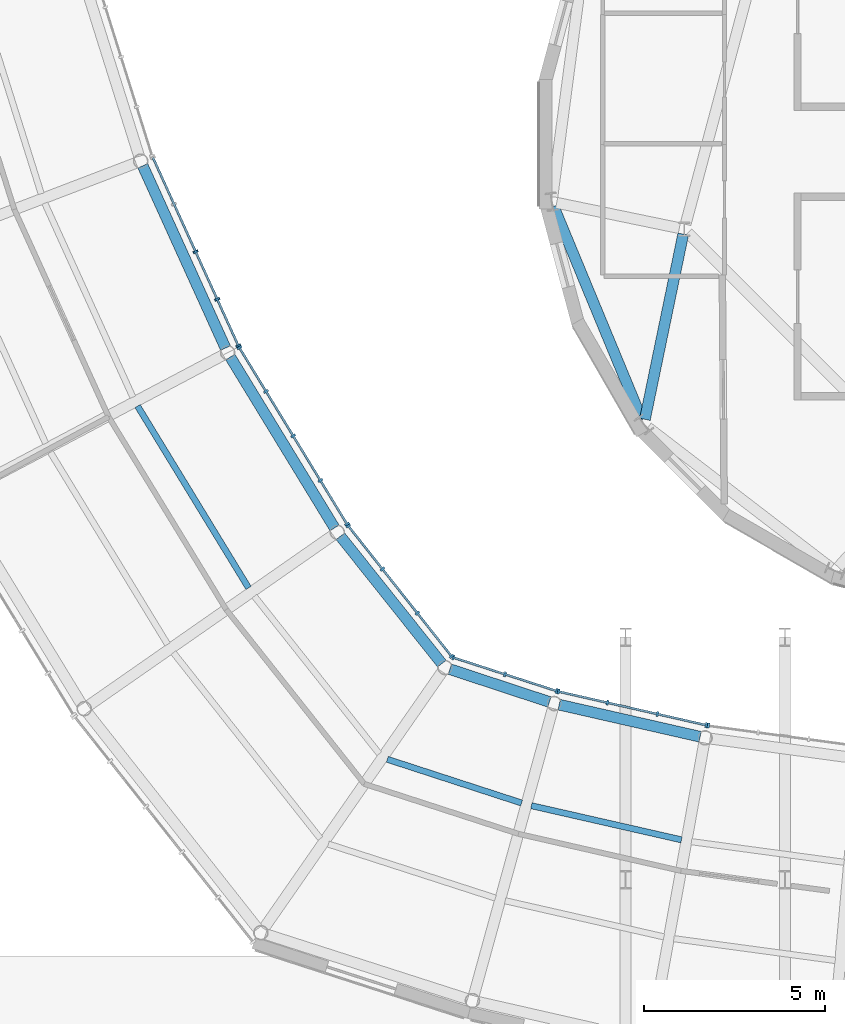
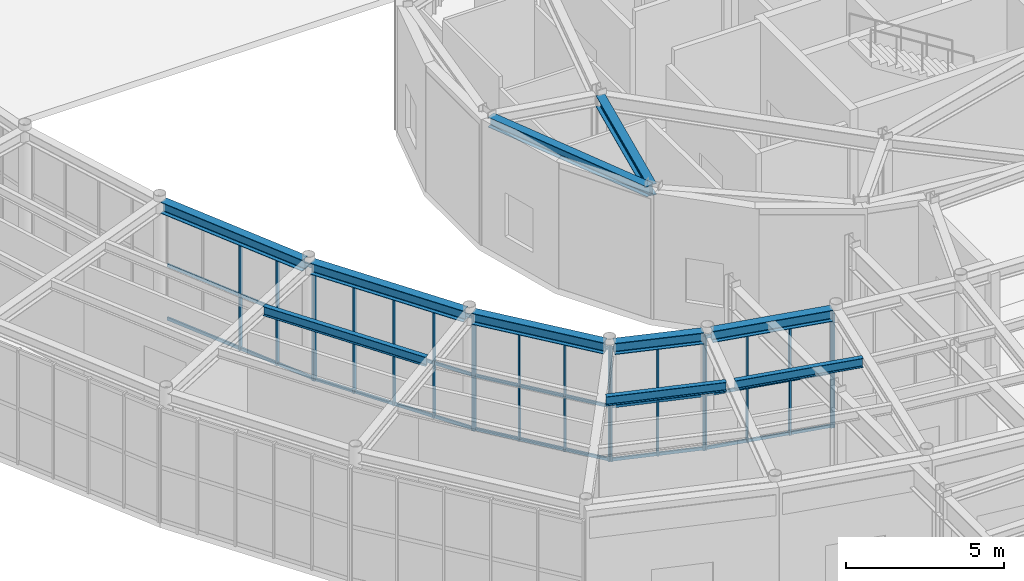
# One storey, part 20 of 97: 35 members, 10 beams, 6 elements without a shape of their own.
"""IFC4 building model written with IfcOpenShell, lengths in metres."""

from ifc_helpers import new_model, si_unit, direction, frame, origin, origin_2d, place, context, subcontext, project, spatial, rectangle, i_section, extrude, material, material_profile, profile_set, type_object, element, aggregate, save


model = new_model("IFC4")

# Units and contexts
model_context = context("Model", 3, precision=1e-05, world=origin(), true_north=direction((0.0, 1.0)))
body_context = subcontext(model_context, "Body", "Model", "MODEL_VIEW")
ifc_project = project(units=[si_unit("LENGTHUNIT", "METRE"), si_unit("AREAUNIT", "SQUARE_METRE"), si_unit("VOLUMEUNIT", "CUBIC_METRE"), si_unit("PLANEANGLEUNIT", "RADIAN"), si_unit("MASSUNIT", "GRAM", prefix="KILO")], contexts=[model_context])

# Site, building, storey
site_placement = place(None, origin())
site = spatial("IfcSite", under=ifc_project, at=site_placement, CompositionType="ELEMENT")
building_placement = place(site_placement, origin())
building = spatial("IfcBuilding", under=site, at=building_placement, Name="Varnklinge Art Gallery", CompositionType="ELEMENT")
storey_placement = place(building_placement, origin())
storey = spatial("IfcBuildingStorey", under=building, at=storey_placement, Name="L00", CompositionType="ELEMENT", Elevation=0.0)

# Beams
ifc_material_1 = material(Name="Steel S355", Category="steel")
ifc_material_profile_1 = material_profile(ifc_material_1, i_section(OverallWidth=0.300048828125, OverallDepth=0.43994140625, WebThickness=0.011474609375, FlangeThickness=0.02099609375, FilletRadius=0.027099609375, at=origin_2d()), Name="HEA 450")
ifc_profile_set_1 = profile_set([ifc_material_profile_1], Name="Steel S355")
beam_type_1 = type_object("IfcBeamType", Name="BM-08", PredefinedType="BEAM", material=ifc_profile_set_1)
beam_1_placement = place(storey_placement, frame((66.391845703125, 35.929931640625, 4.659912109375), z_axis=(-0.202556149381, -0.979270650202, 0.0), x_axis=(0.979270650202, -0.202556149381, 0.0)))
element("IfcBeam", 1, at=beam_1_placement, inside=storey, type_object=beam_type_1, Name="L00 BM-08 BM-V4D-L01-R08", PredefinedType="BEAM", context=body_context, shape_type="SweptSolid", body=[
    extrude(i_section(OverallWidth=0.300048828125, OverallDepth=0.43994140625, WebThickness=0.011474609375, FlangeThickness=0.02099609375, FilletRadius=0.027099609375, at=origin_2d()), origin(), (0.0, 0.0, 1.0), 5.223876953125),
])
ifc_material_2 = material(Name="Steel S355", Category="steel")
ifc_material_profile_2 = material_profile(ifc_material_2, i_section(OverallWidth=0.169921875, OverallDepth=0.360107421875, WebThickness=0.008056640625, FlangeThickness=0.0126953125, FilletRadius=0.01806640625, at=origin_2d()), Name="IPE 360")
ifc_profile_set_2 = profile_set([ifc_material_profile_2], Name="Steel S355")
beam_type_2 = type_object("IfcBeamType", Name="JST-06", PredefinedType="JOIST", material=ifc_profile_set_2)
beam_2_placement = place(storey_placement, frame((51.32421875, 31.180419921875, 4.699951171875), z_axis=(0.520951279717, -0.853586412826, 0.0), x_axis=(0.853586412826, 0.520951279717, 0.0)))
element("IfcBeam", 2, at=beam_2_placement, inside=storey, type_object=beam_type_2, Name="L00 JST-06 JST-V2-L01-31-2", PredefinedType="JOIST", context=body_context, shape_type="SweptSolid", body=[
    extrude(i_section(OverallWidth=0.169921875, OverallDepth=0.360107421875, WebThickness=0.008056640625, FlangeThickness=0.0126953125, FilletRadius=0.01806640625, at=origin_2d()), origin(), (0.0, 0.0, 1.0), 5.8818359375),
])
beam_3_placement = place(storey_placement, frame((58.218505859375, 21.42724609375, 4.699951171875), z_axis=(0.950949393045, -0.309346491603, 0.0), x_axis=(0.309346491603, 0.950949393045, 0.0)))
element("IfcBeam", 3, at=beam_3_placement, inside=storey, type_object=beam_type_2, Name="L00 JST-06 JST-V2-L01-33-2", PredefinedType="JOIST", context=body_context, shape_type="SweptSolid", body=[
    extrude(i_section(OverallWidth=0.169921875, OverallDepth=0.360107421875, WebThickness=0.008056640625, FlangeThickness=0.0126953125, FilletRadius=0.01806640625, at=origin_2d()), origin(), (0.0, 0.0, 1.0), 3.900390625),
])
beam_4_placement = place(storey_placement, frame((62.197265625, 20.146240234375, 4.699951171875), z_axis=(0.975058358995, -0.221948634943, 0.0), x_axis=(0.221948634943, 0.975058358995, 0.0)))
element("IfcBeam", 4, at=beam_4_placement, inside=storey, type_object=beam_type_2, Name="L00 JST-06 JST-V2-L01-34-2", PredefinedType="JOIST", context=body_context, shape_type="SweptSolid", body=[
    extrude(i_section(OverallWidth=0.169921875, OverallDepth=0.360107421875, WebThickness=0.008056640625, FlangeThickness=0.0126953125, FilletRadius=0.01806640625, at=origin_2d()), origin(), (0.0, 0.0, 1.0), 4.25244140625),
])

# Curtain wall, members
ifc_material_3 = material(Name="Anodised Aluminium", Category="aluminium")
curtain_wall_type = type_object("IfcCurtainWallType", Name="CW-R03", PredefinedType="USERDEFINED", material=ifc_material_3)
curtain_wall_1_placement = place(storey_placement, origin())
curtain_wall_1 = element("IfcCurtainWall", 5, at=curtain_wall_1_placement, inside=storey, type_object=curtain_wall_type, Name="L00 Curtain Wall CW-V2I-L00-30", ObjectType="UNITISED CURTAIN WALL", PredefinedType="USERDEFINED")
ifc_material_4 = material(Name="Anodised Aluminium", Category="aluminium")
ifc_material_profile_3 = material_profile(ifc_material_4, rectangle(XDim=0.06005859375, YDim=0.139892578125, at=origin_2d()), Name="ALU 60x140")
ifc_profile_set_3 = profile_set([ifc_material_profile_3], Name="Anodised Aluminium")
member_type_1 = type_object("IfcMemberType", Name="MUL-03", PredefinedType="MULLION", material=ifc_profile_set_3)
member_1_placement = place(storey_placement, frame((54.107421875, 32.846435546875, 0.0), z_axis=(0.0, 0.0, 1.0), x_axis=(-0.413422293217, 0.910539404678, 0.0)))
member_1 = element("IfcMember", 6, at=member_1_placement, type_object=member_type_1, Name="CW-V2I-L00-30 Mullion 1", PredefinedType="MULLION", context=body_context, shape_type="SweptSolid", body=[
    extrude(rectangle(XDim=0.06005859375, YDim=0.139892578125, at=origin_2d()), origin(), (0.0, 0.0, 1.0), 4.429931640625),
])
member_2_placement = place(storey_placement, frame((53.523681640625, 34.132080078125, 0.0), z_axis=(0.0, 0.0, 1.0), x_axis=(-0.413422293217, 0.910539404678, 0.0)))
member_2 = element("IfcMember", 7, at=member_2_placement, type_object=member_type_1, Name="CW-V2I-L00-30 Mullion 2", PredefinedType="MULLION", context=body_context, shape_type="SweptSolid", body=[
    extrude(rectangle(XDim=0.06005859375, YDim=0.139892578125, at=origin_2d()), origin(), (0.0, 0.0, 1.0), 4.429931640625),
])
member_3_placement = place(storey_placement, frame((52.927490234375, 35.44482421875, 0.0), z_axis=(0.0, 0.0, 1.0), x_axis=(-0.413422293217, 0.910539404678, 0.0)))
member_3 = element("IfcMember", 8, at=member_3_placement, type_object=member_type_1, Name="CW-V2I-L00-30 Mullion 3", PredefinedType="MULLION", context=body_context, shape_type="SweptSolid", body=[
    extrude(rectangle(XDim=0.06005859375, YDim=0.139892578125, at=origin_2d()), origin(), (0.0, 0.0, 1.0), 4.429931640625),
])

curtain_wall_2_placement = place(storey_placement, origin())
curtain_wall_2 = element("IfcCurtainWall", 9, at=curtain_wall_2_placement, inside=storey, type_object=curtain_wall_type, Name="L00 Curtain Wall CW-V2I-L00-31", ObjectType="UNITISED CURTAIN WALL", PredefinedType="USERDEFINED")
member_4_placement = place(storey_placement, frame((57.1083984375, 27.922119140625, 0.0), z_axis=(0.0, 0.0, 1.0), x_axis=(-0.520860651188, 0.85364171761, 0.0)))
member_4 = element("IfcMember", 10, at=member_4_placement, type_object=member_type_1, Name="CW-V2I-L00-31 Mullion 1", PredefinedType="MULLION", context=body_context, shape_type="SweptSolid", body=[
    extrude(rectangle(XDim=0.06005859375, YDim=0.139892578125, at=origin_2d()), origin(), (0.0, 0.0, 1.0), 4.429931640625),
])
member_5_placement = place(storey_placement, frame((56.372802734375, 29.127197265625, 0.0), z_axis=(0.0, 0.0, 1.0), x_axis=(-0.520860651188, 0.85364171761, 0.0)))
member_5 = element("IfcMember", 11, at=member_5_placement, type_object=member_type_1, Name="CW-V2I-L00-31 Mullion 2", PredefinedType="MULLION", context=body_context, shape_type="SweptSolid", body=[
    extrude(rectangle(XDim=0.06005859375, YDim=0.139892578125, at=origin_2d()), origin(), (0.0, 0.0, 1.0), 4.429931640625),
])
member_6_placement = place(storey_placement, frame((55.621826171875, 30.35791015625, 0.0), z_axis=(0.0, 0.0, 1.0), x_axis=(-0.520860651188, 0.85364171761, 0.0)))
member_6 = element("IfcMember", 12, at=member_6_placement, type_object=member_type_1, Name="CW-V2I-L00-31 Mullion 3", PredefinedType="MULLION", context=body_context, shape_type="SweptSolid", body=[
    extrude(rectangle(XDim=0.06005859375, YDim=0.139892578125, at=origin_2d()), origin(), (0.0, 0.0, 1.0), 4.429931640625),
])
member_7_placement = place(storey_placement, frame((54.870849609375, 31.58837890625, 0.0), z_axis=(0.0, 0.0, 1.0), x_axis=(-0.520860651188, 0.85364171761, 0.0)))
member_7 = element("IfcMember", 13, at=member_7_placement, type_object=member_type_1, Name="CW-V2I-L00-31 Mullion 4", PredefinedType="MULLION", context=body_context, shape_type="SweptSolid", body=[
    extrude(rectangle(XDim=0.06005859375, YDim=0.139892578125, at=origin_2d()), origin(), (0.0, 0.0, 1.0), 4.429931640625),
])
member_8_placement = place(storey_placement, frame((54.13525390625, 32.793701171875, 0.0), z_axis=(0.0, 0.0, 1.0), x_axis=(-0.520860651188, 0.85364171761, 0.0)))
member_8 = element("IfcMember", 14, at=member_8_placement, type_object=member_type_1, Name="CW-V2I-L00-31 Mullion 5", PredefinedType="MULLION", context=body_context, shape_type="SweptSolid", body=[
    extrude(rectangle(XDim=0.06005859375, YDim=0.139892578125, at=origin_2d()), origin(), (0.0, 0.0, 1.0), 4.429931640625),
])

curtain_wall_3_placement = place(storey_placement, origin())
curtain_wall_3 = element("IfcCurtainWall", 15, at=curtain_wall_3_placement, inside=storey, type_object=curtain_wall_type, Name="L00 Curtain Wall CW-V2I-L00-32", ObjectType="UNITISED CURTAIN WALL", PredefinedType="USERDEFINED")
member_9_placement = place(storey_placement, frame((59.995361328125, 24.27001953125, 0.0), z_axis=(0.0, 0.0, 1.0), x_axis=(-0.620737354217, 0.784018582101, 0.0)))
member_9 = element("IfcMember", 16, at=member_9_placement, type_object=member_type_1, Name="CW-V2I-L00-32 Mullion 1", PredefinedType="MULLION", context=body_context, shape_type="SweptSolid", body=[
    extrude(rectangle(XDim=0.06005859375, YDim=0.139892578125, at=origin_2d()), origin(), (0.0, 0.0, 1.0), 4.429931640625),
])
member_10_placement = place(storey_placement, frame((59.05078125, 25.463134765625, 0.0), z_axis=(0.0, 0.0, 1.0), x_axis=(-0.620737354217, 0.784018582101, 0.0)))
member_10 = element("IfcMember", 17, at=member_10_placement, type_object=member_type_1, Name="CW-V2I-L00-32 Mullion 2", PredefinedType="MULLION", context=body_context, shape_type="SweptSolid", body=[
    extrude(rectangle(XDim=0.06005859375, YDim=0.139892578125, at=origin_2d()), origin(), (0.0, 0.0, 1.0), 4.429931640625),
])
member_11_placement = place(storey_placement, frame((58.08740234375, 26.6796875, 0.0), z_axis=(0.0, 0.0, 1.0), x_axis=(-0.620737354217, 0.784018582101, 0.0)))
member_11 = element("IfcMember", 18, at=member_11_placement, type_object=member_type_1, Name="CW-V2I-L00-32 Mullion 3", PredefinedType="MULLION", context=body_context, shape_type="SweptSolid", body=[
    extrude(rectangle(XDim=0.06005859375, YDim=0.139892578125, at=origin_2d()), origin(), (0.0, 0.0, 1.0), 4.429931640625),
])
member_12_placement = place(storey_placement, frame((57.142578125, 27.872802734375, 0.0), z_axis=(0.0, 0.0, 1.0), x_axis=(-0.620737354217, 0.784018582101, 0.0)))
member_12 = element("IfcMember", 19, at=member_12_placement, type_object=member_type_1, Name="CW-V2I-L00-32 Mullion 4", PredefinedType="MULLION", context=body_context, shape_type="SweptSolid", body=[
    extrude(rectangle(XDim=0.06005859375, YDim=0.139892578125, at=origin_2d()), origin(), (0.0, 0.0, 1.0), 4.429931640625),
])

curtain_wall_4_placement = place(storey_placement, origin())
curtain_wall_4 = element("IfcCurtainWall", 20, at=curtain_wall_4_placement, inside=storey, type_object=curtain_wall_type, Name="L00 Curtain Wall CW-V2I-L00-33", ObjectType="UNITISED CURTAIN WALL", PredefinedType="USERDEFINED")
member_13_placement = place(storey_placement, frame((62.892822265625, 23.3134765625, 0.0), z_axis=(0.0, 0.0, 1.0), x_axis=(-0.951272019071, 0.30835295642, 0.0)))
member_13 = element("IfcMember", 21, at=member_13_placement, type_object=member_type_1, Name="CW-V2I-L00-33 Mullion 1", PredefinedType="MULLION", context=body_context, shape_type="SweptSolid", body=[
    extrude(rectangle(XDim=0.06005859375, YDim=0.139892578125, at=origin_2d()), origin(), (0.0, 0.0, 1.0), 4.429931640625),
])
member_14_placement = place(storey_placement, frame((61.4677734375, 23.775390625, 0.0), z_axis=(0.0, 0.0, 1.0), x_axis=(-0.951272019071, 0.30835295642, 0.0)))
member_14 = element("IfcMember", 22, at=member_14_placement, type_object=member_type_1, Name="CW-V2I-L00-33 Mullion 2", PredefinedType="MULLION", context=body_context, shape_type="SweptSolid", body=[
    extrude(rectangle(XDim=0.06005859375, YDim=0.139892578125, at=origin_2d()), origin(), (0.0, 0.0, 1.0), 4.429931640625),
])
member_15_placement = place(storey_placement, frame((60.04248046875, 24.2373046875, 0.0), z_axis=(0.0, 0.0, 1.0), x_axis=(-0.951272019071, 0.30835295642, 0.0)))
member_15 = element("IfcMember", 23, at=member_15_placement, type_object=member_type_1, Name="CW-V2I-L00-33 Mullion 3", PredefinedType="MULLION", context=body_context, shape_type="SweptSolid", body=[
    extrude(rectangle(XDim=0.06005859375, YDim=0.139892578125, at=origin_2d()), origin(), (0.0, 0.0, 1.0), 4.429931640625),
])

curtain_wall_5_placement = place(storey_placement, origin())
curtain_wall_5 = element("IfcCurtainWall", 24, at=curtain_wall_5_placement, inside=storey, type_object=curtain_wall_type, Name="L00 Curtain Wall CW-V2I-L00-34", ObjectType="UNITISED CURTAIN WALL", PredefinedType="USERDEFINED")
member_16_placement = place(storey_placement, frame((67.028564453125, 22.369384765625, 0.0), z_axis=(0.0, 0.0, 1.0), x_axis=(-0.975071959883, 0.221888875454, 0.0)))
member_16 = element("IfcMember", 25, at=member_16_placement, type_object=member_type_1, Name="CW-V2I-L00-34 Mullion 1", PredefinedType="MULLION", context=body_context, shape_type="SweptSolid", body=[
    extrude(rectangle(XDim=0.06005859375, YDim=0.139892578125, at=origin_2d()), origin(), (0.0, 0.0, 1.0), 4.429931640625),
])
member_17_placement = place(storey_placement, frame((65.67919921875, 22.676513671875, 0.0), z_axis=(0.0, 0.0, 1.0), x_axis=(-0.975071959883, 0.221888875454, 0.0)))
member_17 = element("IfcMember", 26, at=member_17_placement, type_object=member_type_1, Name="CW-V2I-L00-34 Mullion 2", PredefinedType="MULLION", context=body_context, shape_type="SweptSolid", body=[
    extrude(rectangle(XDim=0.06005859375, YDim=0.139892578125, at=origin_2d()), origin(), (0.0, 0.0, 1.0), 4.429931640625),
])
member_18_placement = place(storey_placement, frame((64.30029296875, 22.990234375, 0.0), z_axis=(0.0, 0.0, 1.0), x_axis=(-0.975071959883, 0.221888875454, 0.0)))
member_18 = element("IfcMember", 27, at=member_18_placement, type_object=member_type_1, Name="CW-V2I-L00-34 Mullion 3", PredefinedType="MULLION", context=body_context, shape_type="SweptSolid", body=[
    extrude(rectangle(XDim=0.06005859375, YDim=0.139892578125, at=origin_2d()), origin(), (0.0, 0.0, 1.0), 4.429931640625),
])
member_19_placement = place(storey_placement, frame((62.95068359375, 23.297607421875, 0.0), z_axis=(0.0, 0.0, 1.0), x_axis=(-0.975071959883, 0.221888875454, 0.0)))
member_19 = element("IfcMember", 28, at=member_19_placement, type_object=member_type_1, Name="CW-V2I-L00-34 Mullion 4", PredefinedType="MULLION", context=body_context, shape_type="SweptSolid", body=[
    extrude(rectangle(XDim=0.06005859375, YDim=0.139892578125, at=origin_2d()), origin(), (0.0, 0.0, 1.0), 4.429931640625),
])

# Curtain wall, member
curtain_wall_6_placement = place(storey_placement, origin())
curtain_wall_6 = element("IfcCurtainWall", 29, at=curtain_wall_6_placement, inside=storey, type_object=curtain_wall_type, Name="L00 Curtain Wall CW-V2I-L00-35", ObjectType="UNITISED CURTAIN WALL", PredefinedType="USERDEFINED")
member_20_placement = place(storey_placement, frame((67.087646484375, 22.358642578125, 0.0), z_axis=(0.0, 0.0, 1.0), x_axis=(-0.990983199715, 0.133986185418, 0.0)))
member_20 = element("IfcMember", 30, at=member_20_placement, type_object=member_type_1, Name="CW-V2I-L00-35 Mullion 4", PredefinedType="MULLION", context=body_context, shape_type="SweptSolid", body=[
    extrude(rectangle(XDim=0.06005859375, YDim=0.139892578125, at=origin_2d()), origin(), (0.0, 0.0, 1.0), 4.429931640625),
])
aggregate(curtain_wall_6, [member_20])

# Beams
ifc_material_5 = material(Name="Steel S355", Category="steel")
ifc_material_profile_4 = material_profile(ifc_material_5, i_section(OverallWidth=0.300048828125, OverallDepth=0.43994140625, WebThickness=0.011474609375, FlangeThickness=0.02099609375, FilletRadius=0.027099609375, at=origin_2d()), Name="HEA 450")
ifc_profile_set_4 = profile_set([ifc_material_profile_4], Name="Steel S355")
beam_type_3 = type_object("IfcBeamType", Name="SPB-02", PredefinedType="SPANDREL", material=ifc_profile_set_4)
beam_5_placement = place(storey_placement, frame((51.466552734375, 37.81787109375, 4.659912109375), z_axis=(0.413397065821, -0.910550858531, 0.0), x_axis=(0.910550858531, 0.413397065821, 0.0)))
element("IfcBeam", 31, at=beam_5_placement, inside=storey, type_object=beam_type_3, Name="L00 SPB-02 BM-V2-L01-I30", PredefinedType="SPANDREL", context=body_context, shape_type="SweptSolid", body=[
    extrude(i_section(OverallWidth=0.300048828125, OverallDepth=0.43994140625, WebThickness=0.011474609375, FlangeThickness=0.02099609375, FilletRadius=0.027099609375, at=origin_2d()), origin(), (0.0, 0.0, 1.0), 5.529541015625),
])
beam_6_placement = place(storey_placement, frame((53.88330078125, 32.535888671875, 4.659912109375), z_axis=(0.520928443414, -0.853600349603, 0.0), x_axis=(0.853600349603, 0.520928443414, 0.0)))
element("IfcBeam", 32, at=beam_6_placement, inside=storey, type_object=beam_type_3, Name="L00 SPB-02 BM-V2-L01-I31", PredefinedType="SPANDREL", context=body_context, shape_type="SweptSolid", body=[
    extrude(i_section(OverallWidth=0.300048828125, OverallDepth=0.43994140625, WebThickness=0.011474609375, FlangeThickness=0.02099609375, FilletRadius=0.027099609375, at=origin_2d()), origin(), (0.0, 0.0, 1.0), 5.52978515625),
])
beam_7_placement = place(storey_placement, frame((56.924072265625, 27.586669921875, 4.659912109375), z_axis=(0.623138348458, -0.782111628018, 0.0), x_axis=(0.782111628018, 0.623138348458, 0.0)))
element("IfcBeam", 33, at=beam_7_placement, inside=storey, type_object=beam_type_3, Name="L00 SPB-02 BM-V2-L01-I32", PredefinedType="SPANDREL", context=body_context, shape_type="SweptSolid", body=[
    extrude(i_section(OverallWidth=0.300048828125, OverallDepth=0.43994140625, WebThickness=0.011474609375, FlangeThickness=0.02099609375, FilletRadius=0.027099609375, at=origin_2d()), origin(), (0.0, 0.0, 1.0), 4.498046875),
])
beam_8_placement = place(storey_placement, frame((59.947265625, 23.915283203125, 4.659912109375), z_axis=(0.94984963517, -0.312707004347, 0.0), x_axis=(0.312707004347, 0.94984963517, 0.0)))
element("IfcBeam", 34, at=beam_8_placement, inside=storey, type_object=beam_type_3, Name="L00 SPB-02 BM-V2-L01-I33", PredefinedType="SPANDREL", context=body_context, shape_type="SweptSolid", body=[
    extrude(i_section(OverallWidth=0.300048828125, OverallDepth=0.43994140625, WebThickness=0.011474609375, FlangeThickness=0.02099609375, FilletRadius=0.027099609375, at=origin_2d()), origin(), (0.0, 0.0, 1.0), 2.893310546875),
])
beam_9_placement = place(storey_placement, frame((62.965087890625, 22.935791015625, 4.659912109375), z_axis=(0.975053526144, -0.221969865419, 0.0), x_axis=(0.221969865419, 0.975053526144, 0.0)))
element("IfcBeam", 35, at=beam_9_placement, inside=storey, type_object=beam_type_3, Name="L00 SPB-02 BM-V2-L01-I34", PredefinedType="SPANDREL", context=body_context, shape_type="SweptSolid", body=[
    extrude(i_section(OverallWidth=0.300048828125, OverallDepth=0.43994140625, WebThickness=0.011474609375, FlangeThickness=0.02099609375, FilletRadius=0.027099609375, at=origin_2d()), origin(), (0.0, 0.0, 1.0), 3.99365234375),
])
ifc_material_6 = material(Name="Steel S355", Category="steel")
ifc_material_profile_5 = material_profile(ifc_material_6, i_section(OverallWidth=0.300048828125, OverallDepth=0.389892578125, WebThickness=0.010986328125, FlangeThickness=0.01904296875, FilletRadius=0.027099609375, at=origin_2d()), Name="HEA 400")
ifc_profile_set_5 = profile_set([ifc_material_profile_5], Name="Steel S355")
beam_type_4 = type_object("IfcBeamType", Name="SPB-03", PredefinedType="SPANDREL", material=ifc_profile_set_5)
beam_10_placement = place(storey_placement, frame((62.8134765625, 36.693359375, 4.68505859375), z_axis=(0.382666510137, -0.923886541746, 0.0), x_axis=(0.923886541746, 0.382666510137, 0.0)))
element("IfcBeam", 36, at=beam_10_placement, inside=storey, type_object=beam_type_4, Name="L00 SPB-03 BM-V4D-L01-P07", PredefinedType="SPANDREL", context=body_context, shape_type="SweptSolid", body=[
    extrude(i_section(OverallWidth=0.300048828125, OverallDepth=0.389892578125, WebThickness=0.010986328125, FlangeThickness=0.01904296875, FilletRadius=0.027099609375, at=origin_2d()), origin(), (0.0, 0.0, 1.0), 6.37158203125),
])

# Member
ifc_material_7 = material(Name="Anodised Aluminium", Category="aluminium")
ifc_material_profile_6 = material_profile(ifc_material_7, rectangle(XDim=0.06005859375, YDim=0.1201171875, at=origin_2d()), Name="ALU 60x120")
ifc_profile_set_6 = profile_set([ifc_material_profile_6], Name="Anodised Aluminium")
member_type_2 = type_object("IfcMemberType", Name="TRN-02", PredefinedType="USERDEFINED", material=ifc_profile_set_6)
member_21_placement = place(storey_placement, frame((54.107421875, 32.846435546875, 0.06005859375), z_axis=(-0.413396814736, 0.910550972525, 0.0), x_axis=(-0.910550972525, -0.413396814736, 0.0)))
member_21 = element("IfcMember", 37, at=member_21_placement, type_object=member_type_2, Name="CW-V2I-L00-30 Transom 1", ObjectType="TRANSOM", PredefinedType="USERDEFINED", context=body_context, shape_type="SweptSolid", body=[
    extrude(rectangle(XDim=0.06005859375, YDim=0.1201171875, at=origin_2d()), origin(), (0.0, 0.0, 1.0), 5.707275390625),
])

member_22_placement = place(storey_placement, frame((54.107421875, 32.846435546875, 2.12646484375), z_axis=(-0.413396814736, 0.910550972525, 0.0), x_axis=(-0.910550972525, -0.413396814736, 0.0)))
member_22 = element("IfcMember", 38, at=member_22_placement, type_object=member_type_2, Name="CW-V2I-L00-30 Transom 2", ObjectType="TRANSOM", PredefinedType="USERDEFINED", context=body_context, shape_type="SweptSolid", body=[
    extrude(rectangle(XDim=0.06005859375, YDim=0.1201171875, at=origin_2d()), origin(), (0.0, 0.0, 1.0), 5.707275390625),
])

member_23_placement = place(storey_placement, frame((54.107421875, 32.846435546875, 4.3701171875), z_axis=(-0.413396814736, 0.910550972525, 0.0), x_axis=(-0.910550972525, -0.413396814736, 0.0)))
member_23 = element("IfcMember", 39, at=member_23_placement, type_object=member_type_2, Name="CW-V2I-L00-30 Transom 3", ObjectType="TRANSOM", PredefinedType="USERDEFINED", context=body_context, shape_type="SweptSolid", body=[
    extrude(rectangle(XDim=0.06005859375, YDim=0.1201171875, at=origin_2d()), origin(), (0.0, 0.0, 1.0), 5.707275390625),
])

aggregate(curtain_wall_1, [member_1, member_2, member_3, member_21, member_22, member_23])

member_24_placement = place(storey_placement, frame((57.1083984375, 27.922119140625, 0.06005859375), z_axis=(-0.520948121202, 0.853588340488, 0.0), x_axis=(-0.853588340488, -0.520948121202, 0.0)))
member_24 = element("IfcMember", 40, at=member_24_placement, type_object=member_type_2, Name="CW-V2I-L00-31 Transom 1", ObjectType="TRANSOM", PredefinedType="USERDEFINED", context=body_context, shape_type="SweptSolid", body=[
    extrude(rectangle(XDim=0.06005859375, YDim=0.1201171875, at=origin_2d()), origin(), (0.0, 0.0, 1.0), 5.707275390625),
])

member_25_placement = place(storey_placement, frame((57.1083984375, 27.922119140625, 2.12646484375), z_axis=(-0.520948121202, 0.853588340488, 0.0), x_axis=(-0.853588340488, -0.520948121202, 0.0)))
member_25 = element("IfcMember", 41, at=member_25_placement, type_object=member_type_2, Name="CW-V2I-L00-31 Transom 2", ObjectType="TRANSOM", PredefinedType="USERDEFINED", context=body_context, shape_type="SweptSolid", body=[
    extrude(rectangle(XDim=0.06005859375, YDim=0.1201171875, at=origin_2d()), origin(), (0.0, 0.0, 1.0), 5.707275390625),
])

member_26_placement = place(storey_placement, frame((57.1083984375, 27.922119140625, 4.3701171875), z_axis=(-0.520948121202, 0.853588340488, 0.0), x_axis=(-0.853588340488, -0.520948121202, 0.0)))
member_26 = element("IfcMember", 42, at=member_26_placement, type_object=member_type_2, Name="CW-V2I-L00-31 Transom 3", ObjectType="TRANSOM", PredefinedType="USERDEFINED", context=body_context, shape_type="SweptSolid", body=[
    extrude(rectangle(XDim=0.06005859375, YDim=0.1201171875, at=origin_2d()), origin(), (0.0, 0.0, 1.0), 5.707275390625),
])

aggregate(curtain_wall_2, [member_4, member_5, member_6, member_7, member_8, member_24, member_25, member_26])

member_27_placement = place(storey_placement, frame((59.995361328125, 24.27001953125, 0.06005859375), z_axis=(-0.620780504553, 0.783984416405, 0.0), x_axis=(-0.783984416405, -0.620780504553, 0.0)))
member_27 = element("IfcMember", 43, at=member_27_placement, type_object=member_type_2, Name="CW-V2I-L00-32 Transom 1", ObjectType="TRANSOM", PredefinedType="USERDEFINED", context=body_context, shape_type="SweptSolid", body=[
    extrude(rectangle(XDim=0.06005859375, YDim=0.1201171875, at=origin_2d()), origin(), (0.0, 0.0, 1.0), 4.595458984375),
])

member_28_placement = place(storey_placement, frame((59.995361328125, 24.27001953125, 2.12646484375), z_axis=(-0.620780504553, 0.783984416405, 0.0), x_axis=(-0.783984416405, -0.620780504553, 0.0)))
member_28 = element("IfcMember", 44, at=member_28_placement, type_object=member_type_2, Name="CW-V2I-L00-32 Transom 2", ObjectType="TRANSOM", PredefinedType="USERDEFINED", context=body_context, shape_type="SweptSolid", body=[
    extrude(rectangle(XDim=0.06005859375, YDim=0.1201171875, at=origin_2d()), origin(), (0.0, 0.0, 1.0), 4.595458984375),
])

member_29_placement = place(storey_placement, frame((59.995361328125, 24.27001953125, 4.3701171875), z_axis=(-0.620780504553, 0.783984416405, 0.0), x_axis=(-0.783984416405, -0.620780504553, 0.0)))
member_29 = element("IfcMember", 45, at=member_29_placement, type_object=member_type_2, Name="CW-V2I-L00-32 Transom 3", ObjectType="TRANSOM", PredefinedType="USERDEFINED", context=body_context, shape_type="SweptSolid", body=[
    extrude(rectangle(XDim=0.06005859375, YDim=0.1201171875, at=origin_2d()), origin(), (0.0, 0.0, 1.0), 4.595458984375),
])

aggregate(curtain_wall_3, [member_9, member_10, member_11, member_12, member_27, member_28, member_29])

member_30_placement = place(storey_placement, frame((62.892822265625, 23.3134765625, 0.06005859375), z_axis=(-0.9512822555, 0.308321375144, 0.0), x_axis=(-0.308321375144, -0.9512822555, 0.0)))
member_30 = element("IfcMember", 46, at=member_30_placement, type_object=member_type_2, Name="CW-V2I-L00-33 Transom 1", ObjectType="TRANSOM", PredefinedType="USERDEFINED", context=body_context, shape_type="SweptSolid", body=[
    extrude(rectangle(XDim=0.06005859375, YDim=0.1201171875, at=origin_2d()), origin(), (0.0, 0.0, 1.0), 2.996337890625),
])

member_31_placement = place(storey_placement, frame((62.892822265625, 23.3134765625, 2.12646484375), z_axis=(-0.9512822555, 0.308321375144, 0.0), x_axis=(-0.308321375144, -0.9512822555, 0.0)))
member_31 = element("IfcMember", 47, at=member_31_placement, type_object=member_type_2, Name="CW-V2I-L00-33 Transom 2", ObjectType="TRANSOM", PredefinedType="USERDEFINED", context=body_context, shape_type="SweptSolid", body=[
    extrude(rectangle(XDim=0.06005859375, YDim=0.1201171875, at=origin_2d()), origin(), (0.0, 0.0, 1.0), 2.996337890625),
])

member_32_placement = place(storey_placement, frame((62.892822265625, 23.3134765625, 4.3701171875), z_axis=(-0.9512822555, 0.308321375144, 0.0), x_axis=(-0.308321375144, -0.9512822555, 0.0)))
member_32 = element("IfcMember", 48, at=member_32_placement, type_object=member_type_2, Name="CW-V2I-L00-33 Transom 3", ObjectType="TRANSOM", PredefinedType="USERDEFINED", context=body_context, shape_type="SweptSolid", body=[
    extrude(rectangle(XDim=0.06005859375, YDim=0.1201171875, at=origin_2d()), origin(), (0.0, 0.0, 1.0), 2.996337890625),
])

aggregate(curtain_wall_4, [member_13, member_14, member_15, member_30, member_31, member_32])

member_33_placement = place(storey_placement, frame((67.028564453125, 22.369384765625, 0.06005859375), z_axis=(-0.975058827612, 0.221946576219, 0.0), x_axis=(-0.221946576219, -0.975058827612, 0.0)))
member_33 = element("IfcMember", 49, at=member_33_placement, type_object=member_type_2, Name="CW-V2I-L00-34 Transom 1", ObjectType="TRANSOM", PredefinedType="USERDEFINED", context=body_context, shape_type="SweptSolid", body=[
    extrude(rectangle(XDim=0.06005859375, YDim=0.1201171875, at=origin_2d()), origin(), (0.0, 0.0, 1.0), 4.18212890625),
])

member_34_placement = place(storey_placement, frame((67.028564453125, 22.369384765625, 2.12646484375), z_axis=(-0.975058827612, 0.221946576219, 0.0), x_axis=(-0.221946576219, -0.975058827612, 0.0)))
member_34 = element("IfcMember", 50, at=member_34_placement, type_object=member_type_2, Name="CW-V2I-L00-34 Transom 2", ObjectType="TRANSOM", PredefinedType="USERDEFINED", context=body_context, shape_type="SweptSolid", body=[
    extrude(rectangle(XDim=0.06005859375, YDim=0.1201171875, at=origin_2d()), origin(), (0.0, 0.0, 1.0), 4.18212890625),
])

member_35_placement = place(storey_placement, frame((67.028564453125, 22.369384765625, 4.3701171875), z_axis=(-0.975058827612, 0.221946576219, 0.0), x_axis=(-0.221946576219, -0.975058827612, 0.0)))
member_35 = element("IfcMember", 51, at=member_35_placement, type_object=member_type_2, Name="CW-V2I-L00-34 Transom 3", ObjectType="TRANSOM", PredefinedType="USERDEFINED", context=body_context, shape_type="SweptSolid", body=[
    extrude(rectangle(XDim=0.06005859375, YDim=0.1201171875, at=origin_2d()), origin(), (0.0, 0.0, 1.0), 4.18212890625),
])

aggregate(curtain_wall_5, [member_16, member_17, member_18, member_19, member_33, member_34, member_35])

save(model, "model.ifc")
